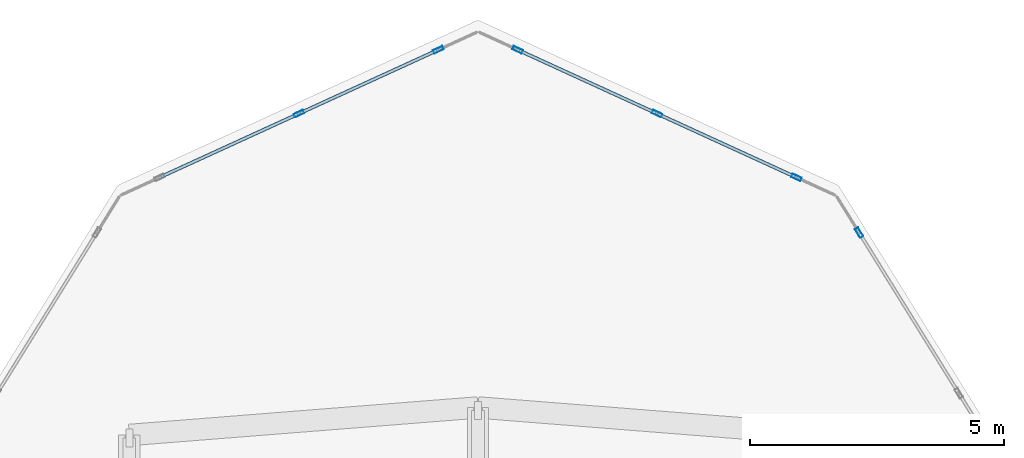
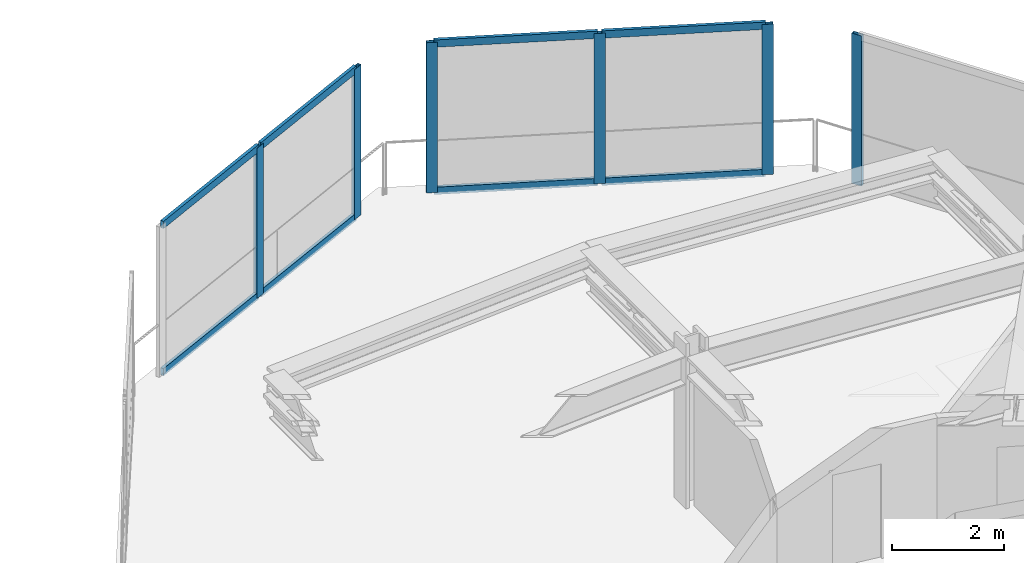
# One storey, part 10 of 19: 14 members, 3 elements without a shape of their own.
"""IFC4 building model written with IfcOpenShell, lengths in metres."""

from ifc_helpers import new_model, si_unit, direction, frame, origin, origin_2d, place, context, subcontext, project, spatial, hollow_rectangle, extrude, material, layer, layer_set, material_profile, profile_set, type_object, element, aggregate, save


model = new_model("IFC4")

# Units and contexts
model_context = context("Model", 3, precision=1e-05, world=origin(), true_north=direction((0.0, 1.0)))
body_context = subcontext(model_context, "Body", "Model", "MODEL_VIEW")
ifc_project = project(units=[si_unit("LENGTHUNIT", "METRE"), si_unit("AREAUNIT", "SQUARE_METRE"), si_unit("VOLUMEUNIT", "CUBIC_METRE"), si_unit("PLANEANGLEUNIT", "RADIAN"), si_unit("MASSUNIT", "GRAM", prefix="KILO")], contexts=[model_context])

# Site, building, storey
site_placement = place(None, origin())
site = spatial("IfcSite", under=ifc_project, at=site_placement, CompositionType="ELEMENT")
building_placement = place(site_placement, origin())
building = spatial("IfcBuilding", under=site, at=building_placement, Name="Solvane Sanctuary Tower", CompositionType="ELEMENT")
storey_placement = place(building_placement, frame((0.0, 0.0, 249.60009765625)))
storey = spatial("IfcBuildingStorey", under=building, at=storey_placement, Name="L76", CompositionType="ELEMENT", Elevation=249.60009765625)

# Curtain wall, member
ifc_material = material(Name="Anodised Aluminium 6063-T6", Category="aluminium")
ifc_layer = layer(ifc_material, 0.18994140625, Name="Anodised Aluminium 6063-T6")
ifc_layer_set = layer_set([ifc_layer], Name="Anodised Aluminium 6063-T6")
curtain_wall_type = type_object("IfcCurtainWallType", Name="Curtain Wall CW-OPER", PredefinedType="NOTDEFINED", material=ifc_layer_set)
curtain_wall_1_placement = place(storey_placement, origin())
curtain_wall_1 = element("IfcCurtainWall", 1, at=curtain_wall_1_placement, inside=storey, type_object=curtain_wall_type, Name="L76 CW-OPER Facade Run 04", PredefinedType="NOTDEFINED")
ifc_material_profile_1 = material_profile(ifc_material, hollow_rectangle(XDim=0.074951171875, YDim=0.199951171875, WallThickness=0.00390625, at=origin_2d()), Name="ALU200X75X4")
ifc_profile_set_1 = profile_set([ifc_material_profile_1], Name="Anodised Aluminium 6063-T6")
member_type_1 = type_object("IfcMemberType", Name="Member M-CW-MUL-1 ALU200X75X4", PredefinedType="MULLION", material=ifc_profile_set_1)
member_1_placement = place(storey_placement, frame((39.495361328125, 45.7177734375, 0.0), z_axis=(0.0, 0.0, 1.0), x_axis=(-0.849622273102, -0.527391688453, 0.0)))
member_1 = element("IfcMember", 2, at=member_1_placement, type_object=member_type_1, Name="CW-OPER mullion 3", PredefinedType="MULLION", context=body_context, shape_type="SweptSolid", body=[
    extrude(hollow_rectangle(XDim=0.074951171875, YDim=0.199951171875, WallThickness=0.00390625, at=origin_2d()), origin(), (0.0, 0.0, 1.0), 3.27978515625),
])
aggregate(curtain_wall_1, [member_1])

# Curtain wall, members
curtain_wall_2_placement = place(storey_placement, origin())
curtain_wall_2 = element("IfcCurtainWall", 3, at=curtain_wall_2_placement, inside=storey, type_object=curtain_wall_type, Name="L76 CW-OPER Facade Run 05", PredefinedType="NOTDEFINED")
member_2_placement = place(storey_placement, frame((38.26318359375, 46.80322265625, 0.0), z_axis=(0.0, 0.0, 1.0), x_axis=(-0.416224941032, -0.909261677661, 0.0)))
member_2 = element("IfcMember", 4, at=member_2_placement, type_object=member_type_1, Name="CW-OPER mullion 1", PredefinedType="MULLION", context=body_context, shape_type="SweptSolid", body=[
    extrude(hollow_rectangle(XDim=0.074951171875, YDim=0.199951171875, WallThickness=0.00390625, at=origin_2d()), origin(), (0.0, 0.0, 1.0), 3.27978515625),
])
member_3_placement = place(storey_placement, frame((35.521484375, 48.058349609375, 0.0), z_axis=(0.0, 0.0, 1.0), x_axis=(-0.416224941032, -0.909261677661, 0.0)))
member_3 = element("IfcMember", 5, at=member_3_placement, type_object=member_type_1, Name="CW-OPER mullion 2", PredefinedType="MULLION", context=body_context, shape_type="SweptSolid", body=[
    extrude(hollow_rectangle(XDim=0.074951171875, YDim=0.199951171875, WallThickness=0.00390625, at=origin_2d()), origin(), (0.0, 0.0, 1.0), 3.27978515625),
])
member_4_placement = place(storey_placement, frame((32.77978515625, 49.3134765625, 0.0), z_axis=(0.0, 0.0, 1.0), x_axis=(-0.416224941032, -0.909261677661, 0.0)))
member_4 = element("IfcMember", 6, at=member_4_placement, type_object=member_type_1, Name="CW-OPER mullion 3", PredefinedType="MULLION", context=body_context, shape_type="SweptSolid", body=[
    extrude(hollow_rectangle(XDim=0.074951171875, YDim=0.199951171875, WallThickness=0.00390625, at=origin_2d()), origin(), (0.0, 0.0, 1.0), 3.27978515625),
])

curtain_wall_3_placement = place(storey_placement, origin())
curtain_wall_3 = element("IfcCurtainWall", 7, at=curtain_wall_3_placement, inside=storey, type_object=curtain_wall_type, Name="L76 CW-OPER Facade Run 06", PredefinedType="NOTDEFINED")
member_5_placement = place(storey_placement, frame((31.22021484375, 49.3134765625, 0.0), z_axis=(0.0, 0.0, 1.0), x_axis=(0.416224941032, -0.909261677661, 0.0)))
member_5 = element("IfcMember", 8, at=member_5_placement, type_object=member_type_1, Name="CW-OPER mullion 1", PredefinedType="MULLION", context=body_context, shape_type="SweptSolid", body=[
    extrude(hollow_rectangle(XDim=0.074951171875, YDim=0.199951171875, WallThickness=0.00390625, at=origin_2d()), origin(), (0.0, 0.0, 1.0), 3.27978515625),
])
member_6_placement = place(storey_placement, frame((28.478515625, 48.058349609375, 0.0), z_axis=(0.0, 0.0, 1.0), x_axis=(0.416224941032, -0.909261677661, 0.0)))
member_6 = element("IfcMember", 9, at=member_6_placement, type_object=member_type_1, Name="CW-OPER mullion 2", PredefinedType="MULLION", context=body_context, shape_type="SweptSolid", body=[
    extrude(hollow_rectangle(XDim=0.074951171875, YDim=0.199951171875, WallThickness=0.00390625, at=origin_2d()), origin(), (0.0, 0.0, 1.0), 3.27978515625),
])

# Member
ifc_material_profile_2 = material_profile(ifc_material, hollow_rectangle(XDim=0.06494140625, YDim=0.159912109375, WallThickness=0.00341796875, at=origin_2d()), Name="ALU160X65X3.5")
ifc_profile_set_2 = profile_set([ifc_material_profile_2], Name="Anodised Aluminium 6063-T6")
member_type_2 = type_object("IfcMemberType", Name="Member M-CW-TRN-1 ALU160X65X3.5", PredefinedType="USERDEFINED", material=ifc_profile_set_2)
member_7_placement = place(storey_placement, frame((38.229248046875, 46.81884765625, 0.032470703125), z_axis=(-0.90925996833, 0.41622867512, 0.0), x_axis=(-0.41622867512, -0.90925996833, 0.0)))
member_7 = element("IfcMember", 10, at=member_7_placement, type_object=member_type_2, Name="CW-OPER transom 1.1", ObjectType="TRANSOM", PredefinedType="USERDEFINED", context=body_context, shape_type="SweptSolid", body=[
    extrude(hollow_rectangle(XDim=0.06494140625, YDim=0.159912109375, WallThickness=0.00341796875, at=origin_2d()), origin(), (0.0, 0.0, 1.0), 2.9404296875),
])

member_8_placement = place(storey_placement, frame((38.229248046875, 46.81884765625, 3.247314453125), z_axis=(-0.90925996833, 0.41622867512, 0.0), x_axis=(-0.41622867512, -0.90925996833, 0.0)))
member_8 = element("IfcMember", 11, at=member_8_placement, type_object=member_type_2, Name="CW-OPER transom 1.2", ObjectType="TRANSOM", PredefinedType="USERDEFINED", context=body_context, shape_type="SweptSolid", body=[
    extrude(hollow_rectangle(XDim=0.06494140625, YDim=0.159912109375, WallThickness=0.00341796875, at=origin_2d()), origin(), (0.0, 0.0, 1.0), 2.9404296875),
])

member_9_placement = place(storey_placement, frame((35.4873046875, 48.073974609375, 0.032470703125), z_axis=(-0.90925996833, 0.41622867512, 0.0), x_axis=(-0.41622867512, -0.90925996833, 0.0)))
member_9 = element("IfcMember", 12, at=member_9_placement, type_object=member_type_2, Name="CW-OPER transom 2.1", ObjectType="TRANSOM", PredefinedType="USERDEFINED", context=body_context, shape_type="SweptSolid", body=[
    extrude(hollow_rectangle(XDim=0.06494140625, YDim=0.159912109375, WallThickness=0.00341796875, at=origin_2d()), origin(), (0.0, 0.0, 1.0), 2.9404296875),
])

member_10_placement = place(storey_placement, frame((35.4873046875, 48.073974609375, 3.247314453125), z_axis=(-0.90925996833, 0.41622867512, 0.0), x_axis=(-0.41622867512, -0.90925996833, 0.0)))
member_10 = element("IfcMember", 13, at=member_10_placement, type_object=member_type_2, Name="CW-OPER transom 2.2", ObjectType="TRANSOM", PredefinedType="USERDEFINED", context=body_context, shape_type="SweptSolid", body=[
    extrude(hollow_rectangle(XDim=0.06494140625, YDim=0.159912109375, WallThickness=0.00341796875, at=origin_2d()), origin(), (0.0, 0.0, 1.0), 2.9404296875),
])

aggregate(curtain_wall_2, [member_2, member_3, member_4, member_7, member_8, member_9, member_10])

member_11_placement = place(storey_placement, frame((31.186279296875, 49.2978515625, 0.032470703125), z_axis=(-0.90925996833, -0.41622867512, 0.0), x_axis=(0.41622867512, -0.90925996833, 0.0)))
member_11 = element("IfcMember", 14, at=member_11_placement, type_object=member_type_2, Name="CW-OPER transom 1.1", ObjectType="TRANSOM", PredefinedType="USERDEFINED", context=body_context, shape_type="SweptSolid", body=[
    extrude(hollow_rectangle(XDim=0.06494140625, YDim=0.159912109375, WallThickness=0.00341796875, at=origin_2d()), origin(), (0.0, 0.0, 1.0), 2.9404296875),
])

member_12_placement = place(storey_placement, frame((31.186279296875, 49.2978515625, 3.247314453125), z_axis=(-0.90925996833, -0.41622867512, 0.0), x_axis=(0.41622867512, -0.90925996833, 0.0)))
member_12 = element("IfcMember", 15, at=member_12_placement, type_object=member_type_2, Name="CW-OPER transom 1.2", ObjectType="TRANSOM", PredefinedType="USERDEFINED", context=body_context, shape_type="SweptSolid", body=[
    extrude(hollow_rectangle(XDim=0.06494140625, YDim=0.159912109375, WallThickness=0.00341796875, at=origin_2d()), origin(), (0.0, 0.0, 1.0), 2.9404296875),
])

member_13_placement = place(storey_placement, frame((28.4443359375, 48.042724609375, 0.032470703125), z_axis=(-0.90925996833, -0.41622867512, 0.0), x_axis=(0.41622867512, -0.90925996833, 0.0)))
member_13 = element("IfcMember", 16, at=member_13_placement, type_object=member_type_2, Name="CW-OPER transom 2.1", ObjectType="TRANSOM", PredefinedType="USERDEFINED", context=body_context, shape_type="SweptSolid", body=[
    extrude(hollow_rectangle(XDim=0.06494140625, YDim=0.159912109375, WallThickness=0.00341796875, at=origin_2d()), origin(), (0.0, 0.0, 1.0), 2.9404296875),
])

member_14_placement = place(storey_placement, frame((28.4443359375, 48.042724609375, 3.247314453125), z_axis=(-0.90925996833, -0.41622867512, 0.0), x_axis=(0.41622867512, -0.90925996833, 0.0)))
member_14 = element("IfcMember", 17, at=member_14_placement, type_object=member_type_2, Name="CW-OPER transom 2.2", ObjectType="TRANSOM", PredefinedType="USERDEFINED", context=body_context, shape_type="SweptSolid", body=[
    extrude(hollow_rectangle(XDim=0.06494140625, YDim=0.159912109375, WallThickness=0.00341796875, at=origin_2d()), origin(), (0.0, 0.0, 1.0), 2.9404296875),
])

aggregate(curtain_wall_3, [member_5, member_6, member_11, member_12, member_13, member_14])

save(model, "model.ifc")
